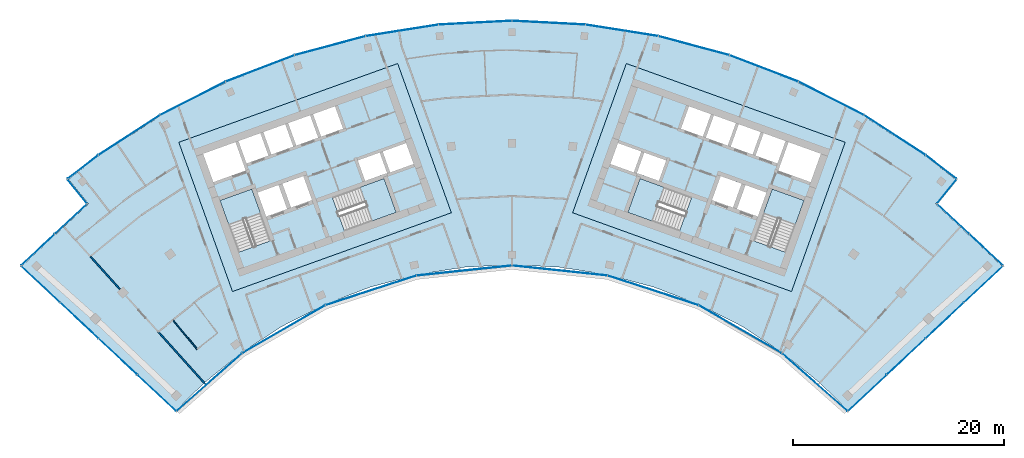
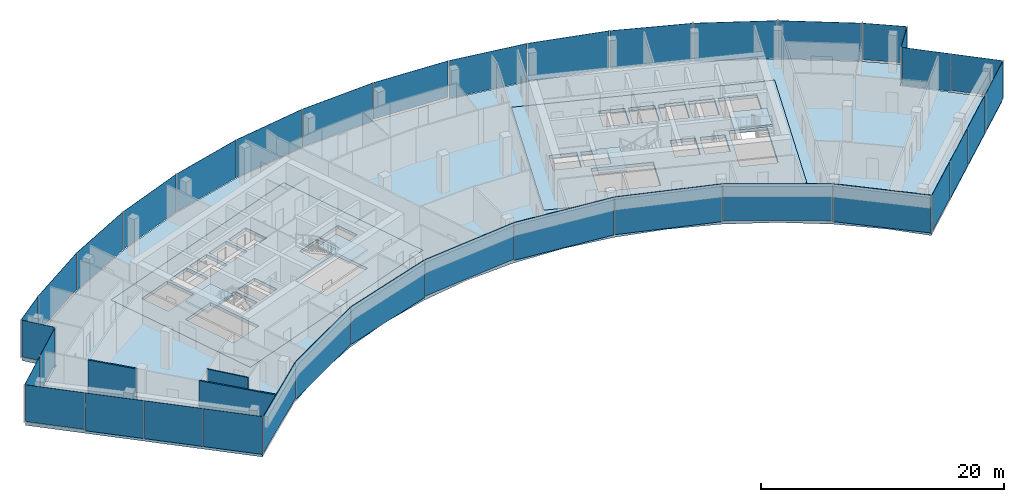
# One storey, part 11 of 18: 36 plates, 7 slabs, 3 walls, 12 elements without a shape of their own.
"""IFC4 building model written with IfcOpenShell, lengths in metres."""

from ifc_helpers import new_model, si_unit, direction, frame, frame_2d, origin, origin_2d, place, context, subcontext, project, spatial, polyline, rectangle, outline, extrude, material, layer, layer_set, type_object, element, aggregate, save


model = new_model("IFC4")

# Units and contexts
model_context = context("Model", 3, precision=1e-05, world=origin(), true_north=direction((0.0, 1.0)))
body_context = subcontext(model_context, "Body", "Model", "MODEL_VIEW")
ifc_project = project(units=[si_unit("LENGTHUNIT", "METRE"), si_unit("AREAUNIT", "SQUARE_METRE"), si_unit("VOLUMEUNIT", "CUBIC_METRE"), si_unit("PLANEANGLEUNIT", "RADIAN"), si_unit("MASSUNIT", "GRAM", prefix="KILO")], contexts=[model_context])

# Site, building, storey
site_placement = place(None, origin())
site = spatial("IfcSite", under=ifc_project, at=site_placement, CompositionType="ELEMENT")
building_placement = place(site_placement, origin())
building = spatial("IfcBuilding", under=site, at=building_placement, Name="Stone Belt Terrace Tower", CompositionType="ELEMENT")
storey_placement = place(building_placement, frame((0.0, 0.0, 261.800048828125)))
storey = spatial("IfcBuildingStorey", under=building, at=storey_placement, Name="L63", CompositionType="ELEMENT", Elevation=261.800048828125)

# Curtain wall, plates
ifc_material_1 = material(Name="Aluminium 6063-T6 anodised frame", Category="aluminium")
ifc_layer_1 = layer(ifc_material_1, 0.14990234375)
ifc_layer_set_1 = layer_set([ifc_layer_1], Name="CW-A unitised convex-face curtain wall")
curtain_wall_type_1 = type_object("IfcCurtainWallType", Name="CW-A unitised convex-face curtain wall", PredefinedType="NOTDEFINED", material=ifc_layer_set_1)
curtain_wall_1_placement = place(storey_placement, origin())
curtain_wall_1 = element("IfcCurtainWall", 1, at=curtain_wall_1_placement, inside=storey, type_object=curtain_wall_type_1, Name="CW-A convex face L63", PredefinedType="NOTDEFINED")
ifc_material_2 = material(Name="Clear double glazed unit")
ifc_layer_2 = layer(ifc_material_2, 0.031982421875)
ifc_layer_set_2 = layer_set([ifc_layer_2], Name="CW-A glass panel 32")
plate_type_1 = type_object("IfcPlateType", Name="CW-A glass panel 32", PredefinedType="CURTAIN_PANEL", material=ifc_layer_set_2)
plate_1_placement = place(storey_placement, frame((40.583251953125, 52.744140625, 0.14013671875), z_axis=(0.0, 0.0, 1.0), x_axis=(-0.792693871824, 0.60961990254, 0.0)))
plate_1 = element("IfcPlate", 2, at=plate_1_placement, type_object=plate_type_1, Name="CW-A panel 1.1", PredefinedType="CURTAIN_PANEL", context=body_context, shape_type="SweptSolid", body=[
    extrude(rectangle(XDim=3.597900390625, YDim=0.031982421875, at=origin_2d()), origin(), (0.0, 0.0, 1.0), 3.659912109375),
])
plate_2_placement = place(storey_placement, frame((36.209716796875, 55.758056640625, 0.0), z_axis=(0.0, 0.0, 1.0), x_axis=(-0.838670567945, 0.544639035015, 0.0)))
plate_2 = element("IfcPlate", 3, at=plate_2_placement, type_object=plate_type_1, Name="CW-A panel 2.1", PredefinedType="CURTAIN_PANEL", context=body_context, shape_type="SweptSolid", body=[
    extrude(rectangle(XDim=6.900634765625, YDim=0.031982421875, at=origin_2d()), origin(), (0.0, 0.0, 1.0), 3.800048828125),
])
plate_3_placement = place(storey_placement, frame((30.18310546875, 59.237548828125, 0.0), z_axis=(0.0, 0.0, 1.0), x_axis=(-0.891006524188, 0.45399049974, 0.0)))
plate_3 = element("IfcPlate", 4, at=plate_3_placement, type_object=plate_type_1, Name="CW-A panel 3.1", PredefinedType="CURTAIN_PANEL", context=body_context, shape_type="SweptSolid", body=[
    extrude(rectangle(XDim=6.90087890625, YDim=0.031982421875, at=origin_2d()), origin(), (0.0, 0.0, 1.0), 3.800048828125),
])
plate_4_placement = place(storey_placement, frame((23.82568359375, 62.068115234375, 0.0), z_axis=(0.0, 0.0, 1.0), x_axis=(-0.933580426497, 0.358367949545, 0.0)))
plate_4 = element("IfcPlate", 5, at=plate_4_placement, type_object=plate_type_1, Name="CW-A panel 4.1", PredefinedType="CURTAIN_PANEL", context=body_context, shape_type="SweptSolid", body=[
    extrude(rectangle(XDim=6.90087890625, YDim=0.031982421875, at=origin_2d()), origin(), (0.0, 0.0, 1.0), 3.800048828125),
])
plate_5_placement = place(storey_placement, frame((17.207275390625, 64.218505859375, 0.0), z_axis=(0.0, 0.0, 1.0), x_axis=(-0.965925826289, 0.258819045103, 0.0)))
plate_5 = element("IfcPlate", 6, at=plate_5_placement, type_object=plate_type_1, Name="CW-A panel 5.1", PredefinedType="CURTAIN_PANEL", context=body_context, shape_type="SweptSolid", body=[
    extrude(rectangle(XDim=6.90087890625, YDim=0.031982421875, at=origin_2d()), origin(), (0.0, 0.0, 1.0), 3.800048828125),
])
plate_6_placement = place(storey_placement, frame((10.400390625, 65.665283203125, 0.0), z_axis=(0.0, 0.0, 1.0), x_axis=(-0.987688340595, 0.15643446504, 0.0)))
plate_6 = element("IfcPlate", 7, at=plate_6_placement, type_object=plate_type_1, Name="CW-A panel 6.1", PredefinedType="CURTAIN_PANEL", context=body_context, shape_type="SweptSolid", body=[
    extrude(rectangle(XDim=6.90087890625, YDim=0.031982421875, at=origin_2d()), origin(), (0.0, 0.0, 1.0), 3.800048828125),
])
plate_7_placement = place(storey_placement, frame((3.4794921875, 66.392822265625, 0.14013671875), z_axis=(0.0, 0.0, 1.0), x_axis=(-0.998629534755, 0.052335956243, 0.0)))
plate_7 = element("IfcPlate", 8, at=plate_7_placement, type_object=plate_type_1, Name="CW-A panel 7.1", PredefinedType="CURTAIN_PANEL", context=body_context, shape_type="SweptSolid", body=[
    extrude(rectangle(XDim=6.90087890625, YDim=0.031982421875, at=origin_2d()), origin(), (0.0, 0.0, 1.0), 3.659912109375),
])
plate_8_placement = place(storey_placement, frame((-3.4794921875, 66.392822265625, 0.0), z_axis=(0.0, 0.0, 1.0), x_axis=(-0.998629534755, -0.052335956243, 0.0)))
plate_8 = element("IfcPlate", 9, at=plate_8_placement, type_object=plate_type_1, Name="CW-A panel 8.1", PredefinedType="CURTAIN_PANEL", context=body_context, shape_type="SweptSolid", body=[
    extrude(rectangle(XDim=6.90087890625, YDim=0.031982421875, at=origin_2d()), origin(), (0.0, 0.0, 1.0), 3.800048828125),
])
plate_9_placement = place(storey_placement, frame((-10.400390625, 65.665283203125, 0.0), z_axis=(0.0, 0.0, 1.0), x_axis=(-0.987688340595, -0.15643446504, 0.0)))
plate_9 = element("IfcPlate", 10, at=plate_9_placement, type_object=plate_type_1, Name="CW-A panel 9.1", PredefinedType="CURTAIN_PANEL", context=body_context, shape_type="SweptSolid", body=[
    extrude(rectangle(XDim=6.90087890625, YDim=0.031982421875, at=origin_2d()), origin(), (0.0, 0.0, 1.0), 3.800048828125),
])
plate_10_placement = place(storey_placement, frame((-17.207275390625, 64.218505859375, 0.0), z_axis=(0.0, 0.0, 1.0), x_axis=(-0.965925826289, -0.258819045103, 0.0)))
plate_10 = element("IfcPlate", 11, at=plate_10_placement, type_object=plate_type_1, Name="CW-A panel 10.1", PredefinedType="CURTAIN_PANEL", context=body_context, shape_type="SweptSolid", body=[
    extrude(rectangle(XDim=6.90087890625, YDim=0.031982421875, at=origin_2d()), origin(), (0.0, 0.0, 1.0), 3.800048828125),
])
plate_11_placement = place(storey_placement, frame((-23.82568359375, 62.068115234375, 0.0), z_axis=(0.0, 0.0, 1.0), x_axis=(-0.933580426497, -0.358367949545, 0.0)))
plate_11 = element("IfcPlate", 12, at=plate_11_placement, type_object=plate_type_1, Name="CW-A panel 11.1", PredefinedType="CURTAIN_PANEL", context=body_context, shape_type="SweptSolid", body=[
    extrude(rectangle(XDim=6.90087890625, YDim=0.031982421875, at=origin_2d()), origin(), (0.0, 0.0, 1.0), 3.800048828125),
])
plate_12_placement = place(storey_placement, frame((-30.18310546875, 59.237548828125, 0.0), z_axis=(0.0, 0.0, 1.0), x_axis=(-0.891006524188, -0.45399049974, 0.0)))
plate_12 = element("IfcPlate", 13, at=plate_12_placement, type_object=plate_type_1, Name="CW-A panel 12.1", PredefinedType="CURTAIN_PANEL", context=body_context, shape_type="SweptSolid", body=[
    extrude(rectangle(XDim=6.90087890625, YDim=0.031982421875, at=origin_2d()), origin(), (0.0, 0.0, 1.0), 3.800048828125),
])
plate_13_placement = place(storey_placement, frame((-36.209716796875, 55.758056640625, 0.14013671875), z_axis=(0.0, 0.0, 1.0), x_axis=(-0.838670567945, -0.544639035015, 0.0)))
plate_13 = element("IfcPlate", 14, at=plate_13_placement, type_object=plate_type_1, Name="CW-A panel 13.1", PredefinedType="CURTAIN_PANEL", context=body_context, shape_type="SweptSolid", body=[
    extrude(rectangle(XDim=6.900634765625, YDim=0.031982421875, at=origin_2d()), origin(), (0.0, 0.0, 1.0), 3.659912109375),
])
plate_14_placement = place(storey_placement, frame((-40.583251953125, 52.744140625, 0.0), z_axis=(0.0, 0.0, 1.0), x_axis=(-0.792693871824, -0.60961990254, 0.0)))
plate_14 = element("IfcPlate", 15, at=plate_14_placement, type_object=plate_type_1, Name="CW-A panel 14.1", PredefinedType="CURTAIN_PANEL", context=body_context, shape_type="SweptSolid", body=[
    extrude(rectangle(XDim=3.597900390625, YDim=0.031982421875, at=origin_2d()), origin(), (0.0, 0.0, 1.0), 3.800048828125),
])
aggregate(curtain_wall_1, [plate_1, plate_2, plate_3, plate_4, plate_5, plate_6, plate_7, plate_8, plate_9, plate_10, plate_11, plate_12, plate_13, plate_14])

ifc_layer_3 = layer(ifc_material_1, 0.14990234375)
ifc_layer_set_3 = layer_set([ifc_layer_3], Name="CW-B unitised concave-face curtain wall")
curtain_wall_type_2 = type_object("IfcCurtainWallType", Name="CW-B unitised concave-face curtain wall", PredefinedType="NOTDEFINED", material=ifc_layer_set_3)
curtain_wall_2_placement = place(storey_placement, origin())
curtain_wall_2 = element("IfcCurtainWall", 16, at=curtain_wall_2_placement, inside=storey, type_object=curtain_wall_type_2, Name="CW-B concave face L63", PredefinedType="NOTDEFINED")
ifc_layer_4 = layer(ifc_material_2, 0.030029296875)
ifc_layer_set_4 = layer_set([ifc_layer_4], Name="CW-B glass panel 30")
plate_type_2 = type_object("IfcPlateType", Name="CW-B glass panel 30", PredefinedType="CURTAIN_PANEL", material=ifc_layer_set_4)
plate_15_placement = place(storey_placement, frame((-28.624755859375, 32.39404296875, 0.1201171875), z_axis=(0.0, 0.0, 1.0), x_axis=(0.749658646805, 0.661824684694, 0.0)))
plate_15 = element("IfcPlate", 17, at=plate_15_placement, type_object=plate_type_2, Name="CW-B panel 1.1", PredefinedType="CURTAIN_PANEL", context=body_context, shape_type="SweptSolid", body=[
    extrude(rectangle(XDim=8.2060546875, YDim=0.030029296875, at=origin_2d()), origin(), (0.0, 0.0, 1.0), 3.679931640625),
])
plate_16_placement = place(storey_placement, frame((-21.59375, 37.400634765625, 0.0), z_axis=(0.0, 0.0, 1.0), x_axis=(0.866025403784, 0.5, 0.0)))
plate_16 = element("IfcPlate", 18, at=plate_16_placement, type_object=plate_type_2, Name="CW-B panel 2.1", PredefinedType="CURTAIN_PANEL", context=body_context, shape_type="SweptSolid", body=[
    extrude(rectangle(XDim=9.013427734375, YDim=0.030029296875, at=origin_2d()), origin(), (0.0, 0.0, 1.0), 3.800048828125),
])
plate_17_placement = place(storey_placement, frame((-13.345458984375, 41.072998046875, 0.0), z_axis=(0.0, 0.0, 1.0), x_axis=(0.951056516295, 0.309016994375, 0.0)))
plate_17 = element("IfcPlate", 19, at=plate_17_placement, type_object=plate_type_2, Name="CW-B panel 3.1", PredefinedType="CURTAIN_PANEL", context=body_context, shape_type="SweptSolid", body=[
    extrude(rectangle(XDim=9.0126953125, YDim=0.030029296875, at=origin_2d()), origin(), (0.0, 0.0, 1.0), 3.800048828125),
])
plate_18_placement = place(storey_placement, frame((-4.51416015625, 42.9501953125, 0.1201171875), z_axis=(0.0, 0.0, 1.0), x_axis=(0.994521895368, 0.104528463268, 0.0)))
plate_18 = element("IfcPlate", 20, at=plate_18_placement, type_object=plate_type_2, Name="CW-B panel 4.1", PredefinedType="CURTAIN_PANEL", context=body_context, shape_type="SweptSolid", body=[
    extrude(rectangle(XDim=9.0126953125, YDim=0.030029296875, at=origin_2d()), origin(), (0.0, 0.0, 1.0), 3.679931640625),
])
plate_19_placement = place(storey_placement, frame((4.51416015625, 42.9501953125, 0.0), z_axis=(0.0, 0.0, 1.0), x_axis=(0.994521895368, -0.104528463268, 0.0)))
plate_19 = element("IfcPlate", 21, at=plate_19_placement, type_object=plate_type_2, Name="CW-B panel 5.1", PredefinedType="CURTAIN_PANEL", context=body_context, shape_type="SweptSolid", body=[
    extrude(rectangle(XDim=9.0126953125, YDim=0.030029296875, at=origin_2d()), origin(), (0.0, 0.0, 1.0), 3.800048828125),
])
plate_20_placement = place(storey_placement, frame((13.345458984375, 41.072998046875, 0.0), z_axis=(0.0, 0.0, 1.0), x_axis=(0.951056516295, -0.309016994375, 0.0)))
plate_20 = element("IfcPlate", 22, at=plate_20_placement, type_object=plate_type_2, Name="CW-B panel 6.1", PredefinedType="CURTAIN_PANEL", context=body_context, shape_type="SweptSolid", body=[
    extrude(rectangle(XDim=9.0126953125, YDim=0.030029296875, at=origin_2d()), origin(), (0.0, 0.0, 1.0), 3.800048828125),
])
plate_21_placement = place(storey_placement, frame((21.59375, 37.400634765625, 0.1201171875), z_axis=(0.0, 0.0, 1.0), x_axis=(0.866025403784, -0.5, 0.0)))
plate_21 = element("IfcPlate", 23, at=plate_21_placement, type_object=plate_type_2, Name="CW-B panel 7.1", PredefinedType="CURTAIN_PANEL", context=body_context, shape_type="SweptSolid", body=[
    extrude(rectangle(XDim=9.013427734375, YDim=0.030029296875, at=origin_2d()), origin(), (0.0, 0.0, 1.0), 3.679931640625),
])
plate_22_placement = place(storey_placement, frame((28.624755859375, 32.39404296875, 0.0), z_axis=(0.0, 0.0, 1.0), x_axis=(0.749658646805, -0.661824684694, 0.0)))
plate_22 = element("IfcPlate", 24, at=plate_22_placement, type_object=plate_type_2, Name="CW-B panel 8.1", PredefinedType="CURTAIN_PANEL", context=body_context, shape_type="SweptSolid", body=[
    extrude(rectangle(XDim=8.2060546875, YDim=0.030029296875, at=origin_2d()), origin(), (0.0, 0.0, 1.0), 3.800048828125),
])
aggregate(curtain_wall_2, [plate_15, plate_16, plate_17, plate_18, plate_19, plate_20, plate_21, plate_22])

ifc_layer_5 = layer(ifc_material_1, 0.14990234375)
ifc_layer_set_5 = layer_set([ifc_layer_5], Name="CW-C stick curtain wall, horn ends and notches")
curtain_wall_type_3 = type_object("IfcCurtainWallType", Name="CW-C stick curtain wall, horn ends and notches", PredefinedType="NOTDEFINED", material=ifc_layer_set_5)
curtain_wall_3_placement = place(storey_placement, origin())
curtain_wall_3 = element("IfcCurtainWall", 25, at=curtain_wall_3_placement, inside=storey, type_object=curtain_wall_type_3, Name="CW-C end face L63", PredefinedType="NOTDEFINED")
ifc_layer_6 = layer(ifc_material_2, 0.028076171875)
ifc_layer_set_6 = layer_set([ifc_layer_6], Name="CW-C glass panel 28")
plate_type_3 = type_object("IfcPlateType", Name="CW-C glass panel 28", PredefinedType="CURTAIN_PANEL", material=ifc_layer_set_6)
plate_23_placement = place(storey_placement, frame((33.617431640625, 31.3798828125, 0.1201171875), z_axis=(0.0, 0.0, 1.0), x_axis=(0.729904219708, 0.683549434973, 0.0)))
plate_23 = element("IfcPlate", 26, at=plate_23_placement, type_object=plate_type_3, Name="CW-C panel 1.1", PredefinedType="CURTAIN_PANEL", context=body_context, shape_type="SweptSolid", body=[
    extrude(rectangle(XDim=4.965576171875, YDim=0.028076171875, at=origin_2d()), origin(), (0.0, 0.0, 1.0), 3.679931640625),
])
plate_24_placement = place(storey_placement, frame((37.2763671875, 34.806396484375, 0.0), z_axis=(0.0, 0.0, 1.0), x_axis=(0.729904219708, 0.683549434973, 0.0)))
plate_24 = element("IfcPlate", 27, at=plate_24_placement, type_object=plate_type_3, Name="CW-C panel 2.1", PredefinedType="CURTAIN_PANEL", context=body_context, shape_type="SweptSolid", body=[
    extrude(rectangle(XDim=4.93994140625, YDim=0.028076171875, at=origin_2d()), origin(), (0.0, 0.0, 1.0), 3.800048828125),
])
plate_25_placement = place(storey_placement, frame((40.92578125, 38.22412109375, 0.0), z_axis=(0.0, 0.0, 1.0), x_axis=(0.729904219708, 0.683549434973, 0.0)))
plate_25 = element("IfcPlate", 28, at=plate_25_placement, type_object=plate_type_3, Name="CW-C panel 3.1", PredefinedType="CURTAIN_PANEL", context=body_context, shape_type="SweptSolid", body=[
    extrude(rectangle(XDim=4.93994140625, YDim=0.028076171875, at=origin_2d()), origin(), (0.0, 0.0, 1.0), 3.800048828125),
])
plate_26_placement = place(storey_placement, frame((44.588134765625, 41.65380859375, 0.0), z_axis=(0.0, 0.0, 1.0), x_axis=(0.729904219708, 0.683549434973, 0.0)))
plate_26 = element("IfcPlate", 29, at=plate_26_placement, type_object=plate_type_3, Name="CW-C panel 4.1", PredefinedType="CURTAIN_PANEL", context=body_context, shape_type="SweptSolid", body=[
    extrude(rectangle(XDim=4.974853515625, YDim=0.028076171875, at=origin_2d()), origin(), (0.0, 0.0, 1.0), 3.800048828125),
])
aggregate(curtain_wall_3, [plate_23, plate_24, plate_25, plate_26])

curtain_wall_4_placement = place(storey_placement, origin())
curtain_wall_4 = element("IfcCurtainWall", 30, at=curtain_wall_4_placement, inside=storey, type_object=curtain_wall_type_3, Name="CW-C notch face L63", PredefinedType="NOTDEFINED")
plate_27_placement = place(storey_placement, frame((44.8427734375, 44.91259765625, 0.1201171875), z_axis=(0.0, 0.0, 1.0), x_axis=(-0.731339333871, 0.682013767261, 0.0)))
plate_27 = element("IfcPlate", 31, at=plate_27_placement, type_object=plate_type_3, Name="CW-C panel 1.1", PredefinedType="CURTAIN_PANEL", context=body_context, shape_type="SweptSolid", body=[
    extrude(rectangle(XDim=4.268798828125, YDim=0.028076171875, at=origin_2d()), origin(), (0.0, 0.0, 1.0), 3.679931640625),
])
plate_28_placement = place(storey_placement, frame((41.731201171875, 47.814208984375, 0.0), z_axis=(0.0, 0.0, 1.0), x_axis=(-0.731339333871, 0.682013767261, 0.0)))
plate_28 = element("IfcPlate", 32, at=plate_28_placement, type_object=plate_type_3, Name="CW-C panel 2.1", PredefinedType="CURTAIN_PANEL", context=body_context, shape_type="SweptSolid", body=[
    extrude(rectangle(XDim=4.12060546875, YDim=0.028076171875, at=origin_2d()), origin(), (0.0, 0.0, 1.0), 3.800048828125),
])
aggregate(curtain_wall_4, [plate_27, plate_28])

# Curtain wall, plate
curtain_wall_5_placement = place(storey_placement, origin())
curtain_wall_5 = element("IfcCurtainWall", 33, at=curtain_wall_5_placement, inside=storey, type_object=curtain_wall_type_3, Name="CW-C notch face L63", PredefinedType="NOTDEFINED")
plate_29_placement = place(storey_placement, frame((41.119140625, 50.43505859375, 0.1201171875), z_axis=(0.0, 0.0, 1.0), x_axis=(0.631001485542, 0.775781622136, 0.0)))
plate_29 = element("IfcPlate", 34, at=plate_29_placement, type_object=plate_type_3, Name="CW-C panel 1.1", PredefinedType="CURTAIN_PANEL", context=body_context, shape_type="SweptSolid", body=[
    extrude(rectangle(XDim=2.859130859375, YDim=0.028076171875, at=origin_2d()), origin(), (0.0, 0.0, 1.0), 3.679931640625),
])
aggregate(curtain_wall_5, [plate_29])

curtain_wall_6_placement = place(storey_placement, origin())
curtain_wall_6 = element("IfcCurtainWall", 35, at=curtain_wall_6_placement, inside=storey, type_object=curtain_wall_type_3, Name="CW-C notch face L63", PredefinedType="NOTDEFINED")
plate_30_placement = place(storey_placement, frame((-41.119140625, 50.43505859375, 0.1201171875), z_axis=(0.0, 0.0, 1.0), x_axis=(0.631001485542, -0.775781622136, 0.0)))
plate_30 = element("IfcPlate", 36, at=plate_30_placement, type_object=plate_type_3, Name="CW-C panel 1.1", PredefinedType="CURTAIN_PANEL", context=body_context, shape_type="SweptSolid", body=[
    extrude(rectangle(XDim=2.859130859375, YDim=0.028076171875, at=origin_2d()), origin(), (0.0, 0.0, 1.0), 3.679931640625),
])
aggregate(curtain_wall_6, [plate_30])

# Curtain wall, plates
curtain_wall_7_placement = place(storey_placement, origin())
curtain_wall_7 = element("IfcCurtainWall", 37, at=curtain_wall_7_placement, inside=storey, type_object=curtain_wall_type_3, Name="CW-C notch face L63", PredefinedType="NOTDEFINED")
plate_31_placement = place(storey_placement, frame((-41.731201171875, 47.814208984375, 0.1201171875), z_axis=(0.0, 0.0, 1.0), x_axis=(-0.731339333871, -0.682013767261, 0.0)))
plate_31 = element("IfcPlate", 38, at=plate_31_placement, type_object=plate_type_3, Name="CW-C panel 1.1", PredefinedType="CURTAIN_PANEL", context=body_context, shape_type="SweptSolid", body=[
    extrude(rectangle(XDim=4.12060546875, YDim=0.028076171875, at=origin_2d()), origin(), (0.0, 0.0, 1.0), 3.679931640625),
])
plate_32_placement = place(storey_placement, frame((-44.8427734375, 44.91259765625, 0.0), z_axis=(0.0, 0.0, 1.0), x_axis=(-0.731339333871, -0.682013767261, 0.0)))
plate_32 = element("IfcPlate", 39, at=plate_32_placement, type_object=plate_type_3, Name="CW-C panel 2.1", PredefinedType="CURTAIN_PANEL", context=body_context, shape_type="SweptSolid", body=[
    extrude(rectangle(XDim=4.268798828125, YDim=0.028076171875, at=origin_2d()), origin(), (0.0, 0.0, 1.0), 3.800048828125),
])
aggregate(curtain_wall_7, [plate_31, plate_32])

curtain_wall_8_placement = place(storey_placement, origin())
curtain_wall_8 = element("IfcCurtainWall", 40, at=curtain_wall_8_placement, inside=storey, type_object=curtain_wall_type_3, Name="CW-C end face L63", PredefinedType="NOTDEFINED")
plate_33_placement = place(storey_placement, frame((-44.588134765625, 41.65380859375, 0.1201171875), z_axis=(0.0, 0.0, 1.0), x_axis=(0.729904219708, -0.683549434973, 0.0)))
plate_33 = element("IfcPlate", 41, at=plate_33_placement, type_object=plate_type_3, Name="CW-C panel 1.1", PredefinedType="CURTAIN_PANEL", context=body_context, shape_type="SweptSolid", body=[
    extrude(rectangle(XDim=4.974853515625, YDim=0.028076171875, at=origin_2d()), origin(), (0.0, 0.0, 1.0), 3.679931640625),
])
plate_34_placement = place(storey_placement, frame((-40.92578125, 38.22412109375, 0.0), z_axis=(0.0, 0.0, 1.0), x_axis=(0.729904219708, -0.683549434973, 0.0)))
plate_34 = element("IfcPlate", 42, at=plate_34_placement, type_object=plate_type_3, Name="CW-C panel 2.1", PredefinedType="CURTAIN_PANEL", context=body_context, shape_type="SweptSolid", body=[
    extrude(rectangle(XDim=4.93994140625, YDim=0.028076171875, at=origin_2d()), origin(), (0.0, 0.0, 1.0), 3.800048828125),
])
plate_35_placement = place(storey_placement, frame((-37.2763671875, 34.806396484375, 0.0), z_axis=(0.0, 0.0, 1.0), x_axis=(0.729904219708, -0.683549434973, 0.0)))
plate_35 = element("IfcPlate", 43, at=plate_35_placement, type_object=plate_type_3, Name="CW-C panel 3.1", PredefinedType="CURTAIN_PANEL", context=body_context, shape_type="SweptSolid", body=[
    extrude(rectangle(XDim=4.93994140625, YDim=0.028076171875, at=origin_2d()), origin(), (0.0, 0.0, 1.0), 3.800048828125),
])
plate_36_placement = place(storey_placement, frame((-33.617431640625, 31.3798828125, 0.0), z_axis=(0.0, 0.0, 1.0), x_axis=(0.729904219708, -0.683549434973, 0.0)))
plate_36 = element("IfcPlate", 44, at=plate_36_placement, type_object=plate_type_3, Name="CW-C panel 4.1", PredefinedType="CURTAIN_PANEL", context=body_context, shape_type="SweptSolid", body=[
    extrude(rectangle(XDim=4.965576171875, YDim=0.028076171875, at=origin_2d()), origin(), (0.0, 0.0, 1.0), 3.800048828125),
])
aggregate(curtain_wall_8, [plate_33, plate_34, plate_35, plate_36])

# Slabs
ifc_material_3 = material(Name="Concrete B40", Category="concrete")
ifc_layer_7 = layer(ifc_material_3, 0.320068359375)
ifc_layer_set_7 = layer_set([ifc_layer_7], Name="Core floor slab 320")
slab_type_1 = type_object("IfcSlabType", Name="Core floor slab 320", PredefinedType="FLOOR", material=ifc_layer_set_7)
slab_1_placement = place(storey_placement, frame((0.0, 0.0, -0.320068359375)))
element("IfcSlab", 45, at=slab_1_placement, inside=storey, type_object=slab_type_1, Name="Core A floor L63", PredefinedType="FLOOR", context=body_context, shape_type="SweptSolid", body=[
    extrude(outline(polyline([(-26.43505859375, 40.968994140625), (-5.735107421875, 48.4189453125), (-10.81396484375, 62.531982421875), (-31.513916015625, 55.0830078125), (-26.43505859375, 40.968994140625)]), holes=[polyline([(-24.60791015625, 50.659912109375), (-22.847900390625, 45.76806640625), (-25.85888671875, 44.68408203125), (-27.618896484375, 49.575927734375), (-24.60791015625, 50.659912109375)]), polyline([(-22.0869140625, 51.035888671875), (-21.27392578125, 48.778076171875), (-23.25, 48.06689453125), (-24.06298828125, 50.324951171875), (-22.0869140625, 51.035888671875)]), polyline([(-19.735107421875, 51.883056640625), (-18.922119140625, 49.6240234375), (-20.89794921875, 48.9130859375), (-21.7109375, 51.1708984375), (-19.735107421875, 51.883056640625)]), polyline([(-29.2109375, 53.9990234375), (-26.153076171875, 55.09912109375), (-25.18798828125, 52.41796875), (-28.24609375, 51.31689453125), (-29.2109375, 53.9990234375)]), polyline([(-23.801025390625, 55.946044921875), (-23.0390625, 53.8291015625), (-25.10888671875, 53.083984375), (-25.87109375, 55.200927734375), (-23.801025390625, 55.946044921875)]), polyline([(-23.51806640625, 56.047119140625), (-21.447998046875, 56.7919921875), (-20.68603515625, 54.675048828125), (-22.756103515625, 53.929931640625), (-23.51806640625, 56.047119140625)]), polyline([(-15.846923828125, 46.69189453125), (-16.998046875, 49.89208984375), (-12.10595703125, 51.652099609375), (-10.955078125, 48.452880859375), (-15.846923828125, 46.69189453125)]), polyline([(-11.847900390625, 52.116943359375), (-11.864990234375, 52.1640625), (-13.887939453125, 51.43603515625), (-14.58203125, 53.364990234375), (-12.511962890625, 54.110107421875), (-11.801025390625, 52.134033203125), (-11.847900390625, 52.116943359375)]), polyline([(-10.01904296875, 55.007080078125), (-9.30810546875, 53.031005859375), (-11.51904296875, 52.235107421875), (-12.22998046875, 54.2109375), (-10.01904296875, 55.007080078125)]), polyline([(-19.095947265625, 57.638916015625), (-18.333984375, 55.52197265625), (-20.404052734375, 54.777099609375), (-21.166015625, 56.89404296875), (-19.095947265625, 57.638916015625)]), polyline([(-16.743896484375, 58.485107421875), (-15.98193359375, 56.367919921875), (-18.052001953125, 55.623046875), (-18.81396484375, 57.739990234375), (-16.743896484375, 58.485107421875)])]), origin(), (0.0, 0.0, 1.0), 0.320068359375),
])
slab_2_placement = place(storey_placement, frame((0.0, 0.0, -0.320068359375)))
element("IfcSlab", 46, at=slab_2_placement, inside=storey, type_object=slab_type_1, Name="Core B floor L63", PredefinedType="FLOOR", context=body_context, shape_type="SweptSolid", body=[
    extrude(outline(polyline([(26.43505859375, 40.968994140625), (31.513916015625, 55.0830078125), (10.81396484375, 62.531982421875), (5.735107421875, 48.4189453125), (26.43505859375, 40.968994140625)]), holes=[polyline([(12.10595703125, 51.652099609375), (16.998046875, 49.89208984375), (15.846923828125, 46.69189453125), (10.955078125, 48.452880859375), (12.10595703125, 51.652099609375)]), polyline([(20.89794921875, 48.9130859375), (18.922119140625, 49.6240234375), (19.735107421875, 51.883056640625), (21.7109375, 51.1708984375), (20.89794921875, 48.9130859375)]), polyline([(11.801025390625, 52.134033203125), (12.511962890625, 54.110107421875), (14.58203125, 53.364990234375), (13.887939453125, 51.43603515625), (11.864990234375, 52.1640625), (11.847900390625, 52.116943359375), (11.801025390625, 52.134033203125)]), polyline([(9.30810546875, 53.031005859375), (10.01904296875, 55.007080078125), (12.22998046875, 54.2109375), (11.51904296875, 52.235107421875), (9.30810546875, 53.031005859375)]), polyline([(19.095947265625, 57.638916015625), (21.166015625, 56.89404296875), (20.404052734375, 54.777099609375), (18.333984375, 55.52197265625), (19.095947265625, 57.638916015625)]), polyline([(15.98193359375, 56.367919921875), (16.743896484375, 58.485107421875), (18.81396484375, 57.739990234375), (18.052001953125, 55.623046875), (15.98193359375, 56.367919921875)]), polyline([(25.85888671875, 44.68408203125), (22.847900390625, 45.76806640625), (24.60791015625, 50.659912109375), (27.618896484375, 49.575927734375), (25.85888671875, 44.68408203125)]), polyline([(21.27392578125, 48.778076171875), (22.0869140625, 51.035888671875), (24.06298828125, 50.324951171875), (23.25, 48.06689453125), (21.27392578125, 48.778076171875)]), polyline([(26.153076171875, 55.09912109375), (29.2109375, 53.9990234375), (28.24609375, 51.31689453125), (25.18798828125, 52.41796875), (26.153076171875, 55.09912109375)]), polyline([(23.801025390625, 55.946044921875), (25.87109375, 55.200927734375), (25.10888671875, 53.083984375), (23.0390625, 53.8291015625), (23.801025390625, 55.946044921875)]), polyline([(21.447998046875, 56.7919921875), (23.51806640625, 56.047119140625), (22.756103515625, 53.929931640625), (20.68603515625, 54.675048828125), (21.447998046875, 56.7919921875)])]), origin(), (0.0, 0.0, 1.0), 0.320068359375),
])
ifc_layer_8 = layer(ifc_material_3, 0.320068359375)
ifc_layer_set_8 = layer_set([ifc_layer_8], Name="Floor slab 320 B40")
slab_type_2 = type_object("IfcSlabType", Name="Floor slab 320 B40", PredefinedType="FLOOR", material=ifc_layer_set_8)
slab_3_placement = place(storey_placement, frame((0.0, 0.0, -0.320068359375)))
element("IfcSlab", 47, at=slab_3_placement, inside=storey, type_object=slab_type_2, Name="Floor slab L63", PredefinedType="FLOOR", context=body_context, shape_type="SweptSolid", body=[
    extrude(outline(polyline([(-40.068603515625, 49.26220703125), (-41.961669921875, 51.589599609375), (-39.087646484375, 53.799560546875), (-33.25, 57.5908203125), (-27.048095703125, 60.750732421875), (-20.549560546875, 63.245361328125), (-13.826171875, 65.046875), (-6.951171875, 66.1357421875), (0.0, 66.5), (6.951171875, 66.1357421875), (13.826171875, 65.046875), (20.549560546875, 63.245361328125), (27.048095703125, 60.750732421875), (33.25, 57.5908203125), (39.087646484375, 53.799560546875), (41.961669921875, 51.589599609375), (40.068603515625, 49.26220703125), (46.348876953125, 43.405517578125), (31.750732421875, 29.734375), (29.107177734375, 32.326904296875), (25.568603515625, 35.192138671875), (21.75, 37.672119140625), (17.693115234375, 39.7392578125), (13.442138671875, 41.37109375), (9.044189453125, 42.54931640625), (4.547119140625, 43.26171875), (0.0, 43.5), (-4.547119140625, 43.26171875), (-9.044189453125, 42.54931640625), (-13.442138671875, 41.37109375), (-17.693115234375, 39.7392578125), (-21.75, 37.672119140625), (-25.568603515625, 35.192138671875), (-29.107177734375, 32.326904296875), (-31.750732421875, 29.734375), (-46.348876953125, 43.405517578125), (-40.068603515625, 49.26220703125)]), holes=[polyline([(-10.81396484375, 62.532470703125), (-31.51416015625, 55.082763671875), (-26.434814453125, 40.968994140625), (-5.734619140625, 48.418701171875), (-10.81396484375, 62.532470703125)]), polyline([(26.434814453125, 40.968994140625), (31.51416015625, 55.082763671875), (10.81396484375, 62.532470703125), (5.734619140625, 48.418701171875), (26.434814453125, 40.968994140625)])]), origin(), (0.0, 0.0, 1.0), 0.320068359375),
])

# Stair, slab
stair_type = type_object("IfcStairType", Name="Exit stair 1500", PredefinedType="HALF_TURN_STAIR", material=ifc_material_3)
stair_1_placement = place(storey_placement, origin())
stair_1 = element("IfcStair", 48, at=stair_1_placement, inside=storey, type_object=stair_type, Name="L63 Exit stair 1 core A", PredefinedType="HALF_TURN_STAIR")
ifc_layer_9 = layer(ifc_material_3, 0.199951171875)
ifc_layer_set_9 = layer_set([ifc_layer_9], Name="Stair landing 200")
slab_type_3 = type_object("IfcSlabType", Name="Stair landing 200", PredefinedType="LANDING", material=ifc_layer_set_9)
slab_4_placement = place(storey_placement, frame((0.0, 0.0, 1.699951171875)))
slab_4 = element("IfcSlab", 49, at=slab_4_placement, type_object=slab_type_3, Name="ST1A landing 1", PredefinedType="LANDING", context=body_context, shape_type="SweptSolid", body=[
    extrude(outline(polyline([(-23.79541015625, 48.40087890625), (-24.6083984375, 50.659912109375), (-27.619384765625, 49.576171875), (-26.806396484375, 47.3173828125), (-23.79541015625, 48.40087890625)])), origin(), (0.0, 0.0, 1.0), 0.199951171875),
])
aggregate(stair_1, [slab_4])

stair_2_placement = place(storey_placement, origin())
stair_2 = element("IfcStair", 50, at=stair_2_placement, inside=storey, type_object=stair_type, Name="L63 Exit stair 2 core A", PredefinedType="HALF_TURN_STAIR")
slab_5_placement = place(storey_placement, frame((0.0, 0.0, 1.699951171875)))
slab_5 = element("IfcSlab", 51, at=slab_5_placement, type_object=slab_type_3, Name="ST2A landing 1", PredefinedType="LANDING", context=body_context, shape_type="SweptSolid", body=[
    extrude(outline(polyline([(-13.213623046875, 47.64013671875), (-10.95458984375, 48.453125), (-12.10595703125, 51.652099609375), (-14.36474609375, 50.839111328125), (-13.213623046875, 47.64013671875)])), origin(), (0.0, 0.0, 1.0), 0.199951171875),
])
aggregate(stair_2, [slab_5])

stair_3_placement = place(storey_placement, origin())
stair_3 = element("IfcStair", 52, at=stair_3_placement, inside=storey, type_object=stair_type, Name="L63 Exit stair 1 core B", PredefinedType="HALF_TURN_STAIR")
slab_6_placement = place(storey_placement, frame((0.0, 0.0, 1.699951171875)))
slab_6 = element("IfcSlab", 53, at=slab_6_placement, type_object=slab_type_3, Name="ST1B landing 1", PredefinedType="LANDING", context=body_context, shape_type="SweptSolid", body=[
    extrude(outline(polyline([(26.806396484375, 47.3173828125), (27.619384765625, 49.576171875), (24.6083984375, 50.659912109375), (23.79541015625, 48.40087890625), (26.806396484375, 47.3173828125)])), origin(), (0.0, 0.0, 1.0), 0.199951171875),
])
aggregate(stair_3, [slab_6])

stair_4_placement = place(storey_placement, origin())
stair_4 = element("IfcStair", 54, at=stair_4_placement, inside=storey, type_object=stair_type, Name="L63 Exit stair 2 core B", PredefinedType="HALF_TURN_STAIR")
slab_7_placement = place(storey_placement, frame((0.0, 0.0, 1.699951171875)))
slab_7 = element("IfcSlab", 55, at=slab_7_placement, type_object=slab_type_3, Name="ST2B landing 1", PredefinedType="LANDING", context=body_context, shape_type="SweptSolid", body=[
    extrude(outline(polyline([(14.36474609375, 50.839111328125), (12.10595703125, 51.652099609375), (10.95458984375, 48.453125), (13.213623046875, 47.64013671875), (14.36474609375, 50.839111328125)])), origin(), (0.0, 0.0, 1.0), 0.199951171875),
])
aggregate(stair_4, [slab_7])

# Walls
ifc_material_4 = material(Name="Gypsum board partition")
ifc_layer_10 = layer(ifc_material_4, 0.10009765625)
ifc_layer_set_10 = layer_set([ifc_layer_10], Name="PARTITION 100")
wall_type_1 = type_object("IfcWallType", Name="PARTITION 100", PredefinedType="PARTITIONING", material=ifc_layer_set_10)
wall_1_placement = place(storey_placement, frame((-32.08203125, 38.27001953125, 0.0), z_axis=(0.0, 0.0, 1.0), x_axis=(0.642365389825, -0.766398529458, 0.0)))
element("IfcWall", 56, at=wall_1_placement, inside=storey, type_object=wall_type_1, Name="L63/wall/i047", PredefinedType="PARTITIONING", context=body_context, shape_type="SweptSolid", body=[
    extrude(rectangle(XDim=3.59619140625, YDim=0.10009765625, at=frame_2d((1.798095703125, 0.0))), origin(), (0.0, 0.0, 1.0), 3.47998046875),
])
ifc_layer_11 = layer(ifc_material_4, 0.14990234375)
ifc_layer_set_11 = layer_set([ifc_layer_11], Name="PARTITION 150 EI 60")
wall_type_2 = type_object("IfcWallType", Name="PARTITION 150 EI 60", PredefinedType="PARTITIONING", material=ifc_layer_set_11)
wall_2_placement = place(storey_placement, frame((-33.4609375, 37.160888671875, 0.0), z_axis=(0.0, 0.0, 1.0), x_axis=(0.669149941442, -0.743127415635, 0.0)))
element("IfcWall", 57, at=wall_2_placement, inside=storey, type_object=wall_type_2, Name="L63/wall/i042", PredefinedType="PARTITIONING", context=body_context, shape_type="SweptSolid", body=[
    extrude(rectangle(XDim=6.699462890625, YDim=0.14990234375, at=frame_2d((3.349609375, 0.0))), origin(), (0.0, 0.0, 1.0), 3.47998046875),
])
wall_3_placement = place(storey_placement, frame((-39.884033203125, 44.294921875, 0.0), z_axis=(0.0, 0.0, 1.0), x_axis=(0.669123017422, -0.743151658517, 0.0)))
element("IfcWall", 58, at=wall_3_placement, inside=storey, type_object=wall_type_2, Name="L63/wall/i045", PredefinedType="PARTITIONING", context=body_context, shape_type="SweptSolid", body=[
    extrude(rectangle(XDim=4.175048828125, YDim=0.14990234375, at=frame_2d((2.08740234375, 0.0))), origin(), (0.0, 0.0, 1.0), 3.47998046875),
])

save(model, "model.ifc")
